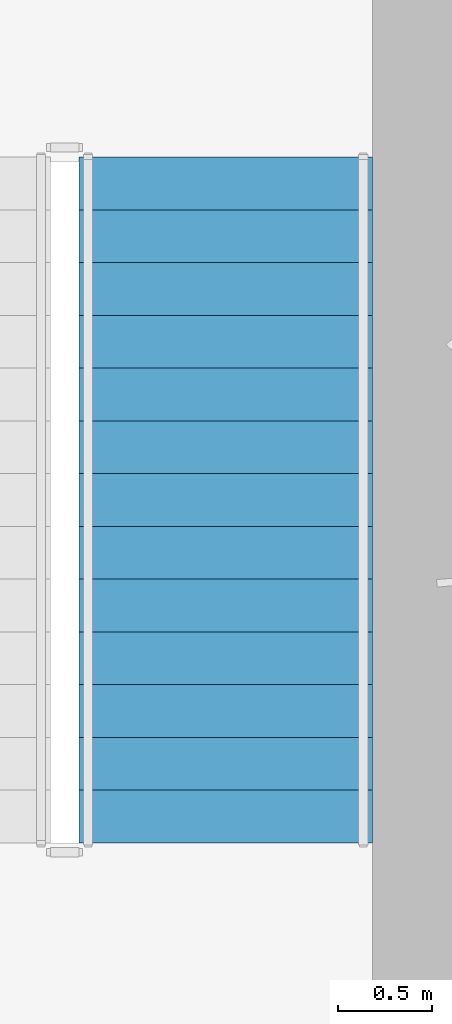
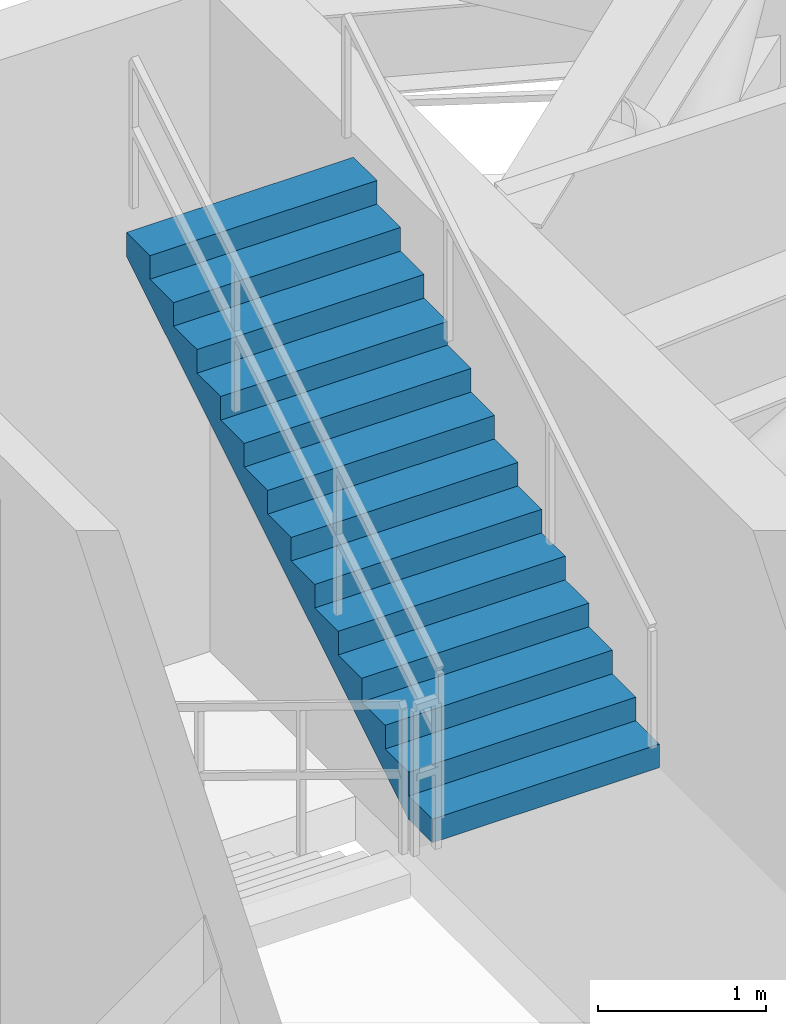
# One storey, part 13 of 24: 1 stair flight, 1 element without a shape of its own.
"""IFC4 building model written with IfcOpenShell, lengths in metres."""

from ifc_helpers import new_model, si_unit, direction, frame, origin, place, context, subcontext, project, spatial, polyline, outline, extrude, material, type_object, element, aggregate, save


model = new_model("IFC4")

# Units and contexts
model_context = context("Model", 3, precision=1e-05, world=origin(), true_north=direction((0.0, 1.0)))
body_context = subcontext(model_context, "Body", "Model", "MODEL_VIEW")
ifc_project = project(units=[si_unit("LENGTHUNIT", "METRE"), si_unit("AREAUNIT", "SQUARE_METRE"), si_unit("VOLUMEUNIT", "CUBIC_METRE"), si_unit("PLANEANGLEUNIT", "RADIAN"), si_unit("MASSUNIT", "GRAM", prefix="KILO")], contexts=[model_context])

# Site, building, storey
site_placement = place(None, origin())
site = spatial("IfcSite", under=ifc_project, at=site_placement, CompositionType="ELEMENT")
building_placement = place(site_placement, origin())
building = spatial("IfcBuilding", under=site, at=building_placement, Name="Breltana Convention Tower", CompositionType="ELEMENT")
storey_placement = place(building_placement, frame((0.0, 0.0, 189.60009765625)))
storey = spatial("IfcBuildingStorey", under=building, at=storey_placement, Name="L46", CompositionType="ELEMENT", Elevation=189.60009765625)

# Stair, stair flight
ifc_material = material(Name="Concrete C40/50", Category="concrete")
stair_type = type_object("IfcStairType", Name="ST-DOG-1560-R171", PredefinedType="HALF_TURN_STAIR", material=ifc_material)
stair_placement = place(storey_placement, origin())
stair = element("IfcStair", 1, at=stair_placement, inside=storey, type_object=stair_type, Name="L46 Protected Core Exit Stair ST-2", PredefinedType="HALF_TURN_STAIR")
stair_flight_type = type_object("IfcStairFlightType", Name="STF-DOG-1560-N14-R171", PredefinedType="STRAIGHT", material=ifc_material)
stair_flight_placement = place(storey_placement, frame((58.02001953125, 66.39990234375, 2.39990234375), z_axis=(0.0, 0.0, 1.0), x_axis=(0.0, 1.0, 0.0)))
stair_flight = element("IfcStairFlight", 2, at=stair_flight_placement, type_object=stair_flight_type, Name="ST-2 flight 2", NumberOfRisers=14, NumberOfTreads=13, PredefinedType="STRAIGHT", RiserHeight=0.171428571, TreadLength=0.28, context=body_context, shape_type="SweptSolid", body=[
    extrude(outline(polyline([(0.0, 0.0), (0.0, 0.17138671875), (0.280029296875, 0.17138671875), (0.280029296875, 0.3427734375), (0.56005859375, 0.3427734375), (0.56005859375, 0.514404296875), (0.840087890625, 0.514404296875), (0.840087890625, 0.685791015625), (1.1201171875, 0.685791015625), (1.1201171875, 0.857177734375), (1.39990234375, 0.857177734375), (1.39990234375, 1.028564453125), (1.679931640625, 1.028564453125), (1.679931640625, 1.199951171875), (1.9599609375, 1.199951171875), (1.9599609375, 1.371337890625), (2.239990234375, 1.371337890625), (2.239990234375, 1.54296875), (2.52001953125, 1.54296875), (2.52001953125, 1.71435546875), (2.800048828125, 1.71435546875), (2.800048828125, 1.8857421875), (3.080078125, 1.8857421875), (3.080078125, 2.05712890625), (3.360107421875, 2.05712890625), (3.360107421875, 2.228515625), (3.639892578125, 2.228515625), (3.639892578125, 2.39990234375), (3.639892578125, 2.052734375), (0.287109375, 0.0), (0.0, 0.0)])), frame((0.0, 0.780029296875, 0.0), z_axis=(0.0, -1.0, 0.0), x_axis=(1.0, 0.0, 0.0)), (0.0, 0.0, 1.0), 1.56005859375),
])
aggregate(stair, [stair_flight])

save(model, "model.ifc")
